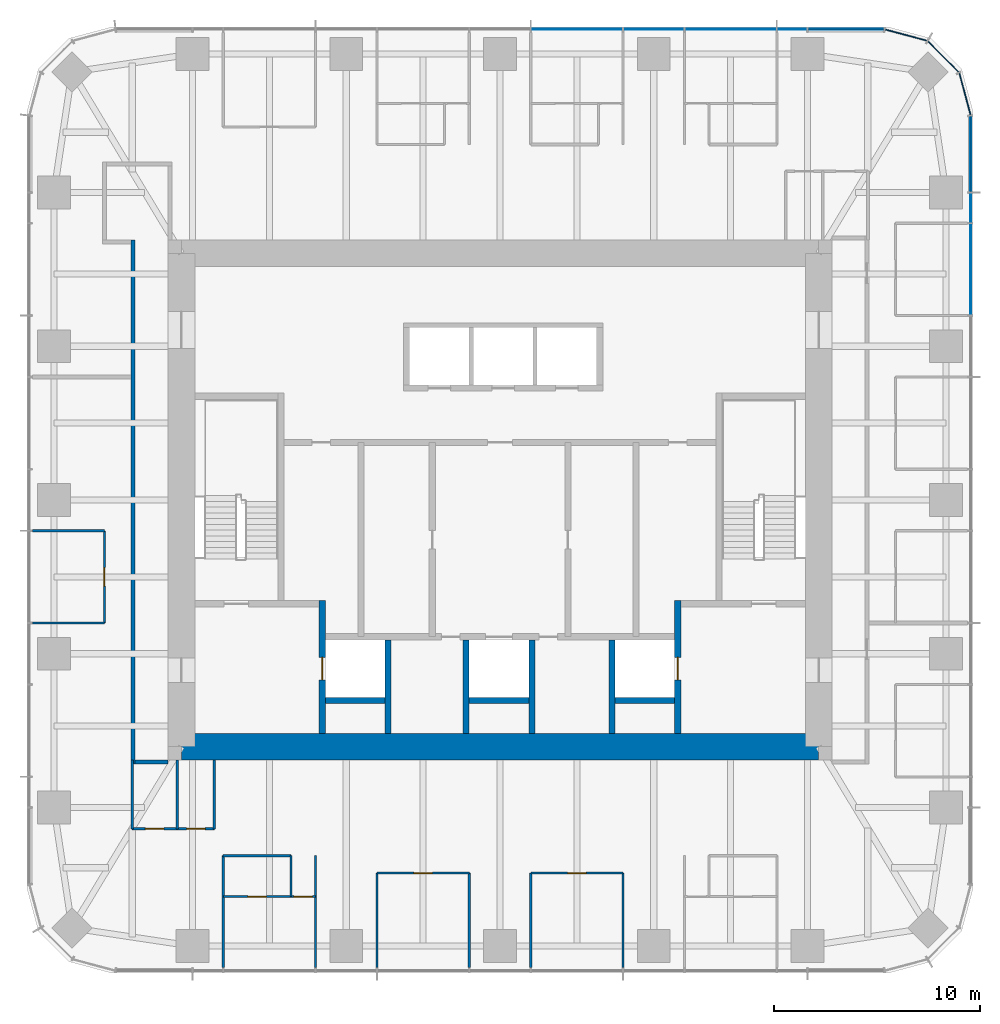
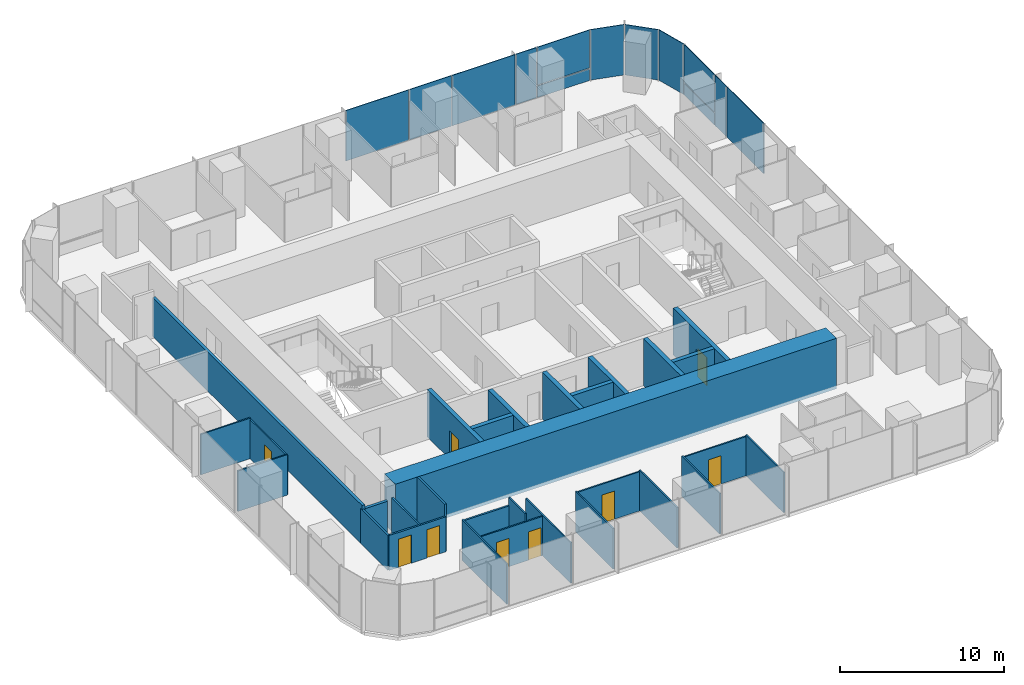
# One storey, part 8 of 12: 30 walls, 13 plates, 9 doors, 9 openings, 3 elements without a shape of their own.
"""IFC4 building model written with IfcOpenShell, lengths in metres."""

from ifc_helpers import new_model, si_unit, direction, frame, frame_2d, origin, origin_2d, place, context, subcontext, project, spatial, rectangle, extrude, material, layer, layer_set, type_object, element, fill, aggregate, save


model = new_model("IFC4")

# Units and contexts
model_context = context("Model", 3, precision=1e-05, world=origin(), true_north=direction((0.0, 1.0)))
body_context = subcontext(model_context, "Body", "Model", "MODEL_VIEW")
ifc_project = project(units=[si_unit("LENGTHUNIT", "METRE"), si_unit("AREAUNIT", "SQUARE_METRE"), si_unit("VOLUMEUNIT", "CUBIC_METRE"), si_unit("PLANEANGLEUNIT", "RADIAN"), si_unit("MASSUNIT", "GRAM", prefix="KILO")], contexts=[model_context])

# Site, building, storey
site_placement = place(None, origin())
site = spatial("IfcSite", under=ifc_project, at=site_placement, CompositionType="ELEMENT")
building_placement = place(site_placement, origin())
building = spatial("IfcBuilding", under=site, at=building_placement, Name="Khuree Lantern Residences", CompositionType="ELEMENT")
storey_placement = place(building_placement, frame((0.0, 0.0, 342.0)))
storey = spatial("IfcBuildingStorey", under=building, at=storey_placement, Name="L86", CompositionType="ELEMENT", Elevation=342.0)

# Curtain wall, plates
ifc_material_1 = material(Name="Bronze anodised aluminium", Category="aluminium")
curtain_wall_type_1 = type_object("IfcCurtainWallType", Name="CW-T2 TOWER CORNER CURTAIN WALL", PredefinedType="USERDEFINED", material=ifc_material_1)
curtain_wall_1_placement = place(storey_placement, origin())
curtain_wall_1 = element("IfcCurtainWall", 1, at=curtain_wall_1_placement, inside=storey, type_object=curtain_wall_type_1, Name="L86 NORTH-EAST CORNER CURTAIN WALL", ObjectType="Faceted corner curtain wall", PredefinedType="USERDEFINED")
ifc_material_2 = material(Name="Bronze tinted triple glazing", Category="glass")
ifc_layer_1 = layer(ifc_material_2, 0.048095703125)
ifc_layer_set_1 = layer_set([ifc_layer_1], Name="FACET PANEL P4")
plate_type_1 = type_object("IfcPlateType", Name="FACET PANEL P4", PredefinedType="CURTAIN_PANEL", material=ifc_layer_set_1)
plate_1_placement = place(storey_placement, frame((22.619140625, 19.748046875, 0.0), z_axis=(0.0, 0.0, 1.0), x_axis=(-0.2588189146, 0.965925861257, 0.0)))
plate_1 = element("IfcPlate", 2, at=plate_1_placement, type_object=plate_type_1, Name="L86 NORTH-EAST CORNER PANEL 15.1", PredefinedType="CURTAIN_PANEL", context=body_context, shape_type="SweptSolid", body=[
    extrude(rectangle(XDim=2.09814453125, YDim=0.048095703125, at=origin_2d()), origin(), (0.0, 0.0, 1.0), 3.75),
])
plate_2_placement = place(storey_placement, frame((21.568603515625, 21.568603515625, 0.0), z_axis=(0.0, 0.0, 1.0), x_axis=(-0.707106781187, 0.707106781187, 0.0)))
plate_2 = element("IfcPlate", 3, at=plate_2_placement, type_object=plate_type_1, Name="L86 NORTH-EAST CORNER PANEL 16.1", PredefinedType="CURTAIN_PANEL", context=body_context, shape_type="SweptSolid", body=[
    extrude(rectangle(XDim=2.093994140625, YDim=0.048095703125, at=origin_2d()), origin(), (0.0, 0.0, 1.0), 3.75),
])
plate_3_placement = place(storey_placement, frame((19.748046875, 22.619140625, 0.0), z_axis=(0.0, 0.0, 1.0), x_axis=(-0.965925861257, 0.2588189146, 0.0)))
plate_3 = element("IfcPlate", 4, at=plate_3_placement, type_object=plate_type_1, Name="L86 NORTH-EAST CORNER PANEL 17.1", PredefinedType="CURTAIN_PANEL", context=body_context, shape_type="SweptSolid", body=[
    extrude(rectangle(XDim=2.09814453125, YDim=0.048095703125, at=origin_2d()), origin(), (0.0, 0.0, 1.0), 3.75),
])
aggregate(curtain_wall_1, [plate_1, plate_2, plate_3])

# Curtain wall, plate
curtain_wall_type_2 = type_object("IfcCurtainWallType", Name="CW-T1 TOWER FACE CURTAIN WALL", PredefinedType="USERDEFINED", material=ifc_material_1)
curtain_wall_2_placement = place(storey_placement, origin())
curtain_wall_2 = element("IfcCurtainWall", 5, at=curtain_wall_2_placement, inside=storey, type_object=curtain_wall_type_2, Name="L86 EAST FACE CURTAIN WALL", ObjectType="Stick-built curtain wall", PredefinedType="USERDEFINED")
ifc_material_3 = material(Name="Bronze tinted triple glazing with a ceramic-fritted spandrel band", Category="glass")
ifc_layer_2 = layer(ifc_material_3, 0.048095703125)
ifc_layer_set_2 = layer_set([ifc_layer_2], Name="FIXED LIGHT PANEL P11")
plate_type_2 = type_object("IfcPlateType", Name="FIXED LIGHT PANEL P11", PredefinedType="CURTAIN_PANEL", material=ifc_layer_set_2)
plate_4_placement = place(storey_placement, frame((22.89990234375, 11.219970703125, 0.0), z_axis=(0.0, 0.0, 1.0), x_axis=(0.0, 1.0, 0.0)))
plate_4 = element("IfcPlate", 6, at=plate_4_placement, type_object=plate_type_2, Name="L86 EAST FACE PANEL 12.1", PredefinedType="CURTAIN_PANEL", context=body_context, shape_type="SweptSolid", body=[
    extrude(rectangle(XDim=4.423095703125, YDim=0.048095703125, at=origin_2d()), origin(), (0.0, 0.0, 1.0), 3.75),
])

# Curtain wall, plates
curtain_wall_3_placement = place(storey_placement, origin())
curtain_wall_3 = element("IfcCurtainWall", 7, at=curtain_wall_3_placement, inside=storey, type_object=curtain_wall_type_2, Name="L86 NORTH FACE CURTAIN WALL", ObjectType="Stick-built curtain wall", PredefinedType="USERDEFINED")
plate_5_placement = place(storey_placement, frame((11.219970703125, 22.89990234375, 0.0), z_axis=(0.0, 0.0, 1.0), x_axis=(-1.0, 0.0, 0.0)))
plate_5 = element("IfcPlate", 8, at=plate_5_placement, type_object=plate_type_2, Name="L86 NORTH FACE PANEL 20.1", PredefinedType="CURTAIN_PANEL", context=body_context, shape_type="SweptSolid", body=[
    extrude(rectangle(XDim=4.423095703125, YDim=0.048095703125, at=origin_2d()), origin(), (0.0, 0.0, 1.0), 3.75),
])
plate_6_placement = place(storey_placement, frame((3.739990234375, 22.89990234375, 0.0), z_axis=(0.0, 0.0, 1.0), x_axis=(-1.0, 0.0, 0.0)))
plate_6 = element("IfcPlate", 9, at=plate_6_placement, type_object=plate_type_2, Name="L86 NORTH FACE PANEL 22.1", PredefinedType="CURTAIN_PANEL", context=body_context, shape_type="SweptSolid", body=[
    extrude(rectangle(XDim=4.423095703125, YDim=0.048095703125, at=origin_2d()), origin(), (0.0, 0.0, 1.0), 3.75),
])
ifc_material_4 = material(Name="Bronze tinted triple glazing, two aluminium-framed sashes in one frame", Category="aluminium")
ifc_layer_3 = layer(ifc_material_4, 0.048095703125)
ifc_layer_set_3 = layer_set([ifc_layer_3], Name="SASH PAIR PANEL P12")
plate_type_3 = type_object("IfcPlateType", Name="SASH PAIR PANEL P12", PredefinedType="CURTAIN_PANEL", material=ifc_layer_set_3)
plate_7_placement = place(storey_placement, frame((7.47998046875, 22.89990234375, 0.0), z_axis=(0.0, 0.0, 1.0), x_axis=(-1.0, 0.0, 0.0)))
plate_7 = element("IfcPlate", 10, at=plate_7_placement, type_object=plate_type_3, Name="L86 NORTH FACE PANEL 21.1", PredefinedType="CURTAIN_PANEL", context=body_context, shape_type="SweptSolid", body=[
    extrude(rectangle(XDim=2.927001953125, YDim=0.048095703125, at=origin_2d()), origin(), (0.0, 0.0, 1.0), 3.75),
])

# Plate
ifc_material_5 = material(Name="Bronze tinted triple glazing, aluminium-framed sash", Category="aluminium")
ifc_layer_4 = layer(ifc_material_5, 0.048095703125)
ifc_layer_set_4 = layer_set([ifc_layer_4], Name="SASH PANEL P3")
plate_type_4 = type_object("IfcPlateType", Name="SASH PANEL P3", PredefinedType="CURTAIN_PANEL", material=ifc_layer_set_4)
plate_8_placement = place(storey_placement, frame((22.89990234375, 14.2119140625, 0.0), z_axis=(0.0, 0.0, 1.0), x_axis=(0.0, 1.0, 0.0)))
plate_8 = element("IfcPlate", 11, at=plate_8_placement, type_object=plate_type_4, Name="L86 EAST FACE PANEL 13.1", PredefinedType="CURTAIN_PANEL", context=body_context, shape_type="SweptSolid", body=[
    extrude(rectangle(XDim=1.430908203125, YDim=0.048095703125, at=origin_2d()), origin(), (0.0, 0.0, 1.0), 3.75),
])

plate_9_placement = place(storey_placement, frame((14.2119140625, 22.89990234375, 0.0), z_axis=(0.0, 0.0, 1.0), x_axis=(-1.0, 0.0, 0.0)))
plate_9 = element("IfcPlate", 12, at=plate_9_placement, type_object=plate_type_4, Name="L86 NORTH FACE PANEL 19.1", PredefinedType="CURTAIN_PANEL", context=body_context, shape_type="SweptSolid", body=[
    extrude(rectangle(XDim=1.430908203125, YDim=0.048095703125, at=origin_2d()), origin(), (0.0, 0.0, 1.0), 3.75),
])

ifc_material_6 = material(Name="Bronze anodised aluminium insulated spandrel", Category="aluminium")
ifc_layer_5 = layer(ifc_material_6, 0.06005859375)
ifc_layer_set_5 = layer_set([ifc_layer_5], Name="SPANDREL PANEL P2")
plate_type_5 = type_object("IfcPlateType", Name="SPANDREL PANEL P2", PredefinedType="CURTAIN_PANEL", material=ifc_layer_set_5)
plate_10_placement = place(storey_placement, frame((22.89990234375, 16.827880859375, 0.0), z_axis=(0.0, 0.0, 1.0), x_axis=(0.0, 1.0, 0.0)))
plate_10 = element("IfcPlate", 13, at=plate_10_placement, type_object=plate_type_5, Name="L86 EAST FACE PANEL 14.1", PredefinedType="CURTAIN_PANEL", context=body_context, shape_type="SweptSolid", body=[
    extrude(rectangle(XDim=3.670654296875, YDim=0.06005859375, at=origin_2d()), origin(), (0.0, 0.0, 1.0), 0.867431640625),
])

plate_11_placement = place(storey_placement, frame((16.827880859375, 22.89990234375, 0.0), z_axis=(0.0, 0.0, 1.0), x_axis=(-1.0, 0.0, 0.0)))
plate_11 = element("IfcPlate", 14, at=plate_11_placement, type_object=plate_type_5, Name="L86 NORTH FACE PANEL 18.1", PredefinedType="CURTAIN_PANEL", context=body_context, shape_type="SweptSolid", body=[
    extrude(rectangle(XDim=3.670654296875, YDim=0.06005859375, at=origin_2d()), origin(), (0.0, 0.0, 1.0), 0.867431640625),
])

ifc_layer_6 = layer(ifc_material_2, 0.048095703125)
ifc_layer_set_6 = layer_set([ifc_layer_6], Name="VISION PANEL P1")
plate_type_6 = type_object("IfcPlateType", Name="VISION PANEL P1", PredefinedType="CURTAIN_PANEL", material=ifc_layer_set_6)
plate_12_placement = place(storey_placement, frame((22.89990234375, 16.828369140625, 0.9326171875), z_axis=(0.0, 0.0, 1.0), x_axis=(0.0, 1.0, 0.0)))
plate_12 = element("IfcPlate", 15, at=plate_12_placement, type_object=plate_type_6, Name="L86 EAST FACE PANEL 14.2", PredefinedType="CURTAIN_PANEL", context=body_context, shape_type="SweptSolid", body=[
    extrude(rectangle(XDim=3.671630859375, YDim=0.048095703125, at=origin_2d()), origin(), (0.0, 0.0, 1.0), 2.8173828125),
])

aggregate(curtain_wall_2, [plate_4, plate_8, plate_10, plate_12])

plate_13_placement = place(storey_placement, frame((16.828369140625, 22.89990234375, 0.9326171875), z_axis=(0.0, 0.0, 1.0), x_axis=(-1.0, 0.0, 0.0)))
plate_13 = element("IfcPlate", 16, at=plate_13_placement, type_object=plate_type_6, Name="L86 NORTH FACE PANEL 18.2", PredefinedType="CURTAIN_PANEL", context=body_context, shape_type="SweptSolid", body=[
    extrude(rectangle(XDim=3.671630859375, YDim=0.048095703125, at=origin_2d()), origin(), (0.0, 0.0, 1.0), 2.8173828125),
])

aggregate(curtain_wall_3, [plate_11, plate_13, plate_9, plate_5, plate_7, plate_6])

# Wall
ifc_material_7 = material(Name="Moisture-resistant gypsum board on steel studs", Category="steel")
ifc_layer_7 = layer(ifc_material_7, 0.125)
ifc_layer_set_7 = layer_set([ifc_layer_7], Name="BATHROOM WALL BTW125")
wall_type_1 = type_object("IfcWallType", Name="BATHROOM WALL BTW125", PredefinedType="PARTITIONING", material=ifc_layer_set_7)
wall_1_placement = place(storey_placement, frame((-13.464111328125, -17.29638671875, 0.0), z_axis=(0.0, 0.0, 1.0), x_axis=(1.0, 0.0, 0.0)))
element("IfcWall", 17, at=wall_1_placement, inside=storey, type_object=wall_type_1, Name="L86 BATHROOM WALL 02", PredefinedType="PARTITIONING", context=body_context, shape_type="SweptSolid", body=[
    extrude(rectangle(XDim=3.2880859375, YDim=0.125, at=frame_2d((1.64404296875, 0.0))), origin(), (0.0, 0.0, 1.0), 2.909912109375),
])

# Wall, openings, doors
wall_2_placement = place(storey_placement, frame((-17.89990234375, -15.996337890625, 0.0), z_axis=(0.0, 0.0, 1.0), x_axis=(1.0, 0.0, 0.0)))
wall_2 = element("IfcWall", 18, at=wall_2_placement, inside=storey, type_object=wall_type_1, Name="L86 BATHROOM WALL 02", PredefinedType="PARTITIONING", context=body_context, shape_type="SweptSolid", body=[
    extrude(rectangle(XDim=4.0, YDim=0.125, at=frame_2d((2.0, 0.0))), origin(), (0.0, 0.0, 1.0), 2.60009765625),
])
opening_1_placement = place(wall_2_placement, frame((0.64990234375, 0.0, 0.0)))
opening_1 = element("IfcOpeningElement", 19, at=opening_1_placement, cuts=wall_2, Name="Opening 86-041", PredefinedType="OPENING", context=body_context, shape_type="SweptSolid", body=[
    extrude(rectangle(XDim=0.89990234375, YDim=2.10009765625, at=frame_2d((0.449951171875, 1.050048828125))), frame((0.0, 0.072509765625, 0.0), z_axis=(0.0, -1.0, 0.0), x_axis=(1.0, 0.0, 0.0)), (0.0, 0.0, 1.0), 0.14501953125),
])
opening_2_placement = place(wall_2_placement, frame((2.64990234375, 0.0, 0.0)))
opening_2 = element("IfcOpeningElement", 20, at=opening_2_placement, cuts=wall_2, Name="Opening 86-042", PredefinedType="OPENING", context=body_context, shape_type="SweptSolid", body=[
    extrude(rectangle(XDim=0.89990234375, YDim=2.10009765625, at=frame_2d((0.449951171875, 1.050048828125))), frame((0.0, 0.072509765625, 0.0), z_axis=(0.0, -1.0, 0.0), x_axis=(1.0, 0.0, 0.0)), (0.0, 0.0, 1.0), 0.14501953125),
])
ifc_material_8 = material(Name="Timber door leaf in hardwood frame", Category="wood")
door_type_1 = type_object("IfcDoorType", Name="BATHROOM DOOR 900X2100", OperationType="SINGLE_SWING_LEFT", PredefinedType="DOOR", material=ifc_material_8)
door_1_placement = place(opening_1_placement, origin())
door_1 = element("IfcDoor", 21, at=door_1_placement, inside=storey, type_object=door_type_1, Name="Bathroom door 86-041", OperationType="SINGLE_SWING_LEFT", OverallHeight=2.10009765625, OverallWidth=0.89990234375, PredefinedType="DOOR", context=body_context, shape_type="SweptSolid", body=[
    extrude(rectangle(XDim=0.89990234375, YDim=2.10009765625, at=frame_2d((0.449951171875, 1.050048828125))), frame((0.0, 0.02490234375, 0.0), z_axis=(0.0, -1.0, 0.0), x_axis=(1.0, 0.0, 0.0)), (0.0, 0.0, 1.0), 0.050048828125),
])
fill(opening_1, door_1)
door_type_2 = type_object("IfcDoorType", Name="DOOR 900X2100", OperationType="SINGLE_SWING_LEFT", PredefinedType="DOOR", material=ifc_material_8)
door_2_placement = place(opening_2_placement, origin())
door_2 = element("IfcDoor", 22, at=door_2_placement, inside=storey, type_object=door_type_2, Name="Store door 86-042", OperationType="SINGLE_SWING_LEFT", OverallHeight=2.10009765625, OverallWidth=0.89990234375, PredefinedType="DOOR", context=body_context, shape_type="SweptSolid", body=[
    extrude(rectangle(XDim=0.89990234375, YDim=2.10009765625, at=frame_2d((0.449951171875, 1.050048828125))), frame((0.0, 0.02490234375, 0.0), z_axis=(0.0, -1.0, 0.0), x_axis=(1.0, 0.0, 0.0)), (0.0, 0.0, 1.0), 0.050048828125),
])
fill(opening_2, door_2)

# Walls
for number, where, z_axis, x_axis, name in (
    (23, (-17.89990234375, -12.64990234375, 0.0), (0.0, 0.0, 1.0), (0.0, -1.0, 0.0), "L86 BATHROOM WALL 02"),
    (24, (-15.699951171875, -12.64990234375, 0.0), (0.0, 0.0, 1.0), (0.0, -1.0, 0.0), "L86 BATHROOM WALL 02"),
):
    element("IfcWall", number, at=place(storey_placement, frame(where, z_axis=z_axis, x_axis=x_axis)), inside=storey, type_object=wall_type_1, Name=name, PredefinedType="PARTITIONING", context=body_context, shape_type="SweptSolid", body=[
        extrude(rectangle(XDim=3.346435546875, YDim=0.125, at=frame_2d((1.67333984375, 0.0))), origin(), (0.0, 0.0, 1.0), 2.60009765625),
    ])
wall_3_placement = place(storey_placement, frame((-13.89990234375, -12.64990234375, 0.0), z_axis=(0.0, 0.0, 1.0), x_axis=(0.0, -1.0, 0.0)))
element("IfcWall", 25, at=wall_3_placement, inside=storey, type_object=wall_type_1, Name="L86 BATHROOM WALL 02", PredefinedType="PARTITIONING", context=body_context, shape_type="SweptSolid", body=[
    extrude(rectangle(XDim=3.346435546875, YDim=0.125, at=frame_2d((1.67333984375, 0.0))), origin(), (0.0, 0.0, 1.0), 3.5),
])

# Wall, opening, door
ifc_material_9 = material(Name="Dense concrete blockwork", Category="masonry")
ifc_layer_8 = layer(ifc_material_9, 0.300048828125)
ifc_layer_set_8 = layer_set([ifc_layer_8], Name="CORE PARTITION WALL CPW300 EI 120")
wall_type_2 = type_object("IfcWallType", Name="CORE PARTITION WALL CPW300 EI 120", PredefinedType="PARTITIONING", material=ifc_layer_set_8)
wall_4_placement = place(storey_placement, frame((-8.64990234375, -11.35009765625, 0.0), z_axis=(0.0, 0.0, 1.0), x_axis=(0.0, 1.0, 0.0)))
wall_4 = element("IfcWall", 26, at=wall_4_placement, inside=storey, type_object=wall_type_2, Name="L86 CORE WALL FL1W", PredefinedType="PARTITIONING", context=body_context, shape_type="SweptSolid", body=[
    extrude(rectangle(XDim=6.4501953125, YDim=0.300048828125, at=frame_2d((3.22509765625, 0.0))), origin(), (0.0, 0.0, 1.0), 3.5),
])
opening_3_placement = place(wall_4_placement, frame((2.60009765625, 0.0, 0.0)))
opening_3 = element("IfcOpeningElement", 27, at=opening_3_placement, cuts=wall_4, Name="Opening 86-007", PredefinedType="OPENING", context=body_context, shape_type="SweptSolid", body=[
    extrude(rectangle(XDim=1.10009765625, YDim=2.10009765625, at=frame_2d((0.550048828125, 1.050048828125))), frame((0.0, 0.16015625, 0.0), z_axis=(0.0, -1.0, 0.0), x_axis=(1.0, 0.0, 0.0)), (0.0, 0.0, 1.0), 0.320068359375),
])
ifc_material_10 = material(Name="Stainless steel lift landing door", Category="steel")
door_type_3 = type_object("IfcDoorType", Name="LIFT LANDING DOOR 1100X2100 E 120", OperationType="DOUBLE_DOOR_SLIDING", PredefinedType="DOOR", material=ifc_material_10)
door_3_placement = place(opening_3_placement, origin())
door_3 = element("IfcDoor", 28, at=door_3_placement, inside=storey, type_object=door_type_3, Name="Landing door FL1 86-007", OperationType="DOUBLE_DOOR_SLIDING", OverallHeight=2.10009765625, OverallWidth=1.10009765625, PredefinedType="DOOR", context=body_context, shape_type="SweptSolid", body=[
    extrude(rectangle(XDim=1.10009765625, YDim=2.10009765625, at=frame_2d((0.550048828125, 1.050048828125))), frame((0.0, 0.02490234375, 0.0), z_axis=(0.0, -1.0, 0.0), x_axis=(1.0, 0.0, 0.0)), (0.0, 0.0, 1.0), 0.050048828125),
])
fill(opening_3, door_3)

wall_5_placement = place(storey_placement, frame((8.64990234375, -11.35009765625, 0.0), z_axis=(0.0, 0.0, 1.0), x_axis=(0.0, 1.0, 0.0)))
wall_5 = element("IfcWall", 29, at=wall_5_placement, inside=storey, type_object=wall_type_2, Name="L86 CORE WALL FL2E", PredefinedType="PARTITIONING", context=body_context, shape_type="SweptSolid", body=[
    extrude(rectangle(XDim=6.4501953125, YDim=0.300048828125, at=frame_2d((3.22509765625, 0.0))), origin(), (0.0, 0.0, 1.0), 3.5),
])
opening_4_placement = place(wall_5_placement, frame((2.60009765625, 0.0, 0.0)))
opening_4 = element("IfcOpeningElement", 30, at=opening_4_placement, cuts=wall_5, Name="Opening 86-008", PredefinedType="OPENING", context=body_context, shape_type="SweptSolid", body=[
    extrude(rectangle(XDim=1.10009765625, YDim=2.10009765625, at=frame_2d((0.550048828125, 1.050048828125))), frame((0.0, 0.16015625, 0.0), z_axis=(0.0, -1.0, 0.0), x_axis=(1.0, 0.0, 0.0)), (0.0, 0.0, 1.0), 0.320068359375),
])
door_4_placement = place(opening_4_placement, origin())
door_4 = element("IfcDoor", 31, at=door_4_placement, inside=storey, type_object=door_type_3, Name="Landing door FL2 86-008", OperationType="DOUBLE_DOOR_SLIDING", OverallHeight=2.10009765625, OverallWidth=1.10009765625, PredefinedType="DOOR", context=body_context, shape_type="SweptSolid", body=[
    extrude(rectangle(XDim=1.10009765625, YDim=2.10009765625, at=frame_2d((0.550048828125, 1.050048828125))), frame((0.0, 0.02490234375, 0.0), z_axis=(0.0, -1.0, 0.0), x_axis=(1.0, 0.0, 0.0)), (0.0, 0.0, 1.0), 0.050048828125),
])
fill(opening_4, door_4)

# Walls
for number, where, z_axis, x_axis, name in (
    (32, (-5.449951171875, -11.35009765625, 0.0), (0.0, 0.0, 1.0), (0.0, 1.0, 0.0), "L86 CORE WALL FL1E"),
    (33, (-1.64990234375, -11.35009765625, 0.0), (0.0, 0.0, 1.0), (0.0, 1.0, 0.0), "L86 CORE WALL SL1W"),
    (34, (1.550048828125, -11.35009765625, 0.0), (0.0, 0.0, 1.0), (0.0, 1.0, 0.0), "L86 CORE WALL SL1E"),
    (35, (5.449951171875, -11.35009765625, 0.0), (0.0, 0.0, 1.0), (0.0, 1.0, 0.0), "L86 CORE WALL FL2W"),
):
    element("IfcWall", number, at=place(storey_placement, frame(where, z_axis=z_axis, x_axis=x_axis)), inside=storey, type_object=wall_type_2, Name=name, PredefinedType="PARTITIONING", context=body_context, shape_type="SweptSolid", body=[
        extrude(rectangle(XDim=4.550048828125, YDim=0.300048828125, at=frame_2d((2.27490234375, 0.0))), origin(), (0.0, 0.0, 1.0), 3.5),
    ])
for number, where, z_axis, x_axis, name in (
    (36, (-8.5, -9.75, 0.0), (0.0, 0.0, 1.0), (1.0, 0.0, 0.0), "L86 CORE WALL FL1S"),
    (37, (-1.5, -9.75, 0.0), (0.0, 0.0, 1.0), (1.0, 0.0, 0.0), "L86 CORE WALL SL1S"),
    (38, (5.60009765625, -9.75, 0.0), (0.0, 0.0, 1.0), (1.0, 0.0, 0.0), "L86 CORE WALL FL2S"),
):
    element("IfcWall", number, at=place(storey_placement, frame(where, z_axis=z_axis, x_axis=x_axis)), inside=storey, type_object=wall_type_2, Name=name, PredefinedType="PARTITIONING", context=body_context, shape_type="SweptSolid", body=[
        extrude(rectangle(XDim=2.89990234375, YDim=0.300048828125, at=frame_2d((1.449951171875, 0.0))), origin(), (0.0, 0.0, 1.0), 3.5),
    ])
ifc_material_11 = material(Name="Gypsum board on steel studs", Category="steel")
ifc_layer_9 = layer(ifc_material_11, 0.199951171875)
ifc_layer_set_9 = layer_set([ifc_layer_9], Name="CORRIDOR WALL CRW200 EI 60")
wall_type_3 = type_object("IfcWallType", Name="CORRIDOR WALL CRW200 EI 60", PredefinedType="PARTITIONING", material=ifc_layer_set_9)
wall_6_placement = place(storey_placement, frame((-16.14990234375, -12.75, 0.0), z_axis=(0.0, 0.0, 1.0), x_axis=(-1.0, 0.0, 0.0)))
element("IfcWall", 39, at=wall_6_placement, inside=storey, type_object=wall_type_3, Name="L86 WEST CORRIDOR SOUTH END WALL", PredefinedType="PARTITIONING", context=body_context, shape_type="SweptSolid", body=[
    extrude(rectangle(XDim=1.60009765625, YDim=0.199951171875, at=frame_2d((0.800048828125, 0.0))), origin(), (0.0, 0.0, 1.0), 2.60009765625),
])
wall_7_placement = place(storey_placement, frame((-17.85009765625, 12.64990234375, 0.0), z_axis=(0.0, 0.0, 1.0), x_axis=(0.0, -1.0, 0.0)))
element("IfcWall", 40, at=wall_7_placement, inside=storey, type_object=wall_type_3, Name="L86 CORRIDOR WALL WEST 1", PredefinedType="PARTITIONING", context=body_context, shape_type="SweptSolid", body=[
    extrude(rectangle(XDim=25.5, YDim=0.199951171875, at=frame_2d((12.75, 0.0))), origin(), (0.0, 0.0, 1.0), 2.89990234375),
])
ifc_material_12 = material(Name="Concrete C50/60", Category="concrete")
ifc_layer_10 = layer(ifc_material_12, 1.300048828125)
ifc_layer_set_10 = layer_set([ifc_layer_10], Name="CW1300-C50 CORE WALL C50 1300")
wall_type_4 = type_object("IfcWallType", Name="CW1300-C50 CORE WALL C50 1300", PredefinedType="SHEAR", material=ifc_layer_set_10)
wall_8_placement = place(storey_placement, frame((-15.5, -12.0, -0.25), z_axis=(0.0, 0.0, 1.0), x_axis=(1.0, 0.0, 0.0)))
element("IfcWall", 41, at=wall_8_placement, inside=storey, type_object=wall_type_4, Name="Core wall S", PredefinedType="SHEAR", context=body_context, shape_type="SweptSolid", body=[
    extrude(rectangle(XDim=31.0, YDim=1.300048828125, at=frame_2d((15.5, 0.0))), origin(), (0.0, 0.0, 1.0), 3.75),
])
ifc_layer_11 = layer(ifc_material_11, 0.10009765625)
ifc_layer_set_11 = layer_set([ifc_layer_11], Name="PARTITION PT100")
wall_type_5 = type_object("IfcWallType", Name="PARTITION PT100", PredefinedType="PARTITIONING", material=ifc_layer_set_11)
for number, where, z_axis, x_axis, name in (
    (42, (-19.25, -1.49609375, 0.0), (0.0, 0.0, 1.0), (-1.0, 0.0, 0.0), "L86 PARTITION 02"),
    (43, (-19.25, -5.98388671875, 0.0), (0.0, 0.0, 1.0), (-1.0, 0.0, 0.0), "L86 PARTITION 02"),
):
    element("IfcWall", number, at=place(storey_placement, frame(where, z_axis=z_axis, x_axis=x_axis)), inside=storey, type_object=wall_type_5, Name=name, PredefinedType="PARTITIONING", context=body_context, shape_type="SweptSolid", body=[
        extrude(rectangle(XDim=3.5, YDim=0.10009765625, at=frame_2d((1.75, 0.0))), origin(), (0.0, 0.0, 1.0), 3.010009765625),
    ])
for number, where, z_axis, x_axis, name in (
    (44, (-13.464111328125, -17.29638671875, 0.0), (0.0, 0.0, 1.0), (0.0, -1.0, 0.0), "L86 PARTITION 02"),
    (45, (-8.97607421875, -17.29638671875, 0.0), (0.0, 0.0, 1.0), (0.0, -1.0, 0.0), "L86 PARTITION 02"),
):
    element("IfcWall", number, at=place(storey_placement, frame(where, z_axis=z_axis, x_axis=x_axis)), inside=storey, type_object=wall_type_5, Name=name, PredefinedType="PARTITIONING", context=body_context, shape_type="SweptSolid", body=[
        extrude(rectangle(XDim=5.45361328125, YDim=0.10009765625, at=frame_2d((2.726806640625, 0.0))), origin(), (0.0, 0.0, 1.0), 3.010009765625),
    ])
for number, where, z_axis, x_axis, name in (
    (46, (-5.98388671875, -18.14990234375, 0.0), (0.0, 0.0, 1.0), (0.0, -1.0, 0.0), "L86 PARTITION 02"),
    (47, (-1.49609375, -18.14990234375, 0.0), (0.0, 0.0, 1.0), (0.0, -1.0, 0.0), "L86 PARTITION 02"),
    (48, (1.49609375, -18.14990234375, 0.0), (0.0, 0.0, 1.0), (0.0, -1.0, 0.0), "L86 PARTITION 02"),
    (49, (5.98388671875, -18.14990234375, 0.0), (0.0, 0.0, 1.0), (0.0, -1.0, 0.0), "L86 PARTITION 02"),
):
    element("IfcWall", number, at=place(storey_placement, frame(where, z_axis=z_axis, x_axis=x_axis)), inside=storey, type_object=wall_type_5, Name=name, PredefinedType="PARTITIONING", context=body_context, shape_type="SweptSolid", body=[
        extrude(rectangle(XDim=4.60009765625, YDim=0.10009765625, at=frame_2d((2.300048828125, 0.0))), origin(), (0.0, 0.0, 1.0), 3.010009765625),
    ])

# Wall, opening, door
wall_9_placement = place(storey_placement, frame((-19.25, -1.49609375, 0.0), z_axis=(0.0, 0.0, 1.0), x_axis=(0.0, -1.0, 0.0)))
wall_9 = element("IfcWall", 50, at=wall_9_placement, inside=storey, type_object=wall_type_5, Name="L86 PARTITION 02", PredefinedType="PARTITIONING", context=body_context, shape_type="SweptSolid", body=[
    extrude(rectangle(XDim=4.48779296875, YDim=0.10009765625, at=frame_2d((2.243896484375, 0.0))), origin(), (0.0, 0.0, 1.0), 2.909912109375),
])
opening_5_placement = place(wall_9_placement, frame((1.7939453125, 0.0, 0.0)))
opening_5 = element("IfcOpeningElement", 51, at=opening_5_placement, cuts=wall_9, Name="Opening 86-033", PredefinedType="OPENING", context=body_context, shape_type="SweptSolid", body=[
    extrude(rectangle(XDim=0.89990234375, YDim=2.10009765625, at=frame_2d((0.449951171875, 1.050048828125))), frame((0.0, 0.06005859375, 0.0), z_axis=(0.0, -1.0, 0.0), x_axis=(1.0, 0.0, 0.0)), (0.0, 0.0, 1.0), 0.1201171875),
])
door_type_4 = type_object("IfcDoorType", Name="BEDROOM DOOR 900X2100", OperationType="SINGLE_SWING_LEFT", PredefinedType="DOOR", material=ifc_material_8)
door_5_placement = place(opening_5_placement, origin())
door_5 = element("IfcDoor", 52, at=door_5_placement, inside=storey, type_object=door_type_4, Name="Bedroom door 86-033", OperationType="SINGLE_SWING_LEFT", OverallHeight=2.10009765625, OverallWidth=0.89990234375, PredefinedType="DOOR", context=body_context, shape_type="SweptSolid", body=[
    extrude(rectangle(XDim=0.89990234375, YDim=2.10009765625, at=frame_2d((0.449951171875, 1.050048828125))), frame((0.0, 0.02490234375, 0.0), z_axis=(0.0, -1.0, 0.0), x_axis=(1.0, 0.0, 0.0)), (0.0, 0.0, 1.0), 0.050048828125),
])
fill(opening_5, door_5)

# Wall, openings, doors
wall_10_placement = place(storey_placement, frame((-13.464111328125, -19.29638671875, 0.0), z_axis=(0.0, 0.0, 1.0), x_axis=(1.0, 0.0, 0.0)))
wall_10 = element("IfcWall", 53, at=wall_10_placement, inside=storey, type_object=wall_type_5, Name="L86 PARTITION 02", PredefinedType="PARTITIONING", context=body_context, shape_type="SweptSolid", body=[
    extrude(rectangle(XDim=4.488037109375, YDim=0.10009765625, at=frame_2d((2.244140625, 0.0))), origin(), (0.0, 0.0, 1.0), 2.909912109375),
])
opening_6_placement = place(wall_10_placement, frame((3.43798828125, 0.0, 0.0)))
opening_6 = element("IfcOpeningElement", 54, at=opening_6_placement, cuts=wall_10, Name="Opening 86-034", PredefinedType="OPENING", context=body_context, shape_type="SweptSolid", body=[
    extrude(rectangle(XDim=0.89990234375, YDim=2.10009765625, at=frame_2d((0.449951171875, 1.050048828125))), frame((0.0, 0.06005859375, 0.0), z_axis=(0.0, -1.0, 0.0), x_axis=(1.0, 0.0, 0.0)), (0.0, 0.0, 1.0), 0.1201171875),
])
opening_7_placement = place(wall_10_placement, frame((1.194091796875, 0.0, 0.0)))
opening_7 = element("IfcOpeningElement", 55, at=opening_7_placement, cuts=wall_10, Name="Opening 86-035", PredefinedType="OPENING", context=body_context, shape_type="SweptSolid", body=[
    extrude(rectangle(XDim=0.89990234375, YDim=2.10009765625, at=frame_2d((0.449951171875, 1.050048828125))), frame((0.0, 0.06005859375, 0.0), z_axis=(0.0, -1.0, 0.0), x_axis=(1.0, 0.0, 0.0)), (0.0, 0.0, 1.0), 0.1201171875),
])
door_6_placement = place(opening_7_placement, origin())
door_6 = element("IfcDoor", 56, at=door_6_placement, inside=storey, type_object=door_type_1, Name="Bathroom door 86-035", OperationType="SINGLE_SWING_LEFT", OverallHeight=2.10009765625, OverallWidth=0.89990234375, PredefinedType="DOOR", context=body_context, shape_type="SweptSolid", body=[
    extrude(rectangle(XDim=0.89990234375, YDim=2.10009765625, at=frame_2d((0.449951171875, 1.050048828125))), frame((0.0, 0.02490234375, 0.0), z_axis=(0.0, -1.0, 0.0), x_axis=(1.0, 0.0, 0.0)), (0.0, 0.0, 1.0), 0.050048828125),
])
fill(opening_7, door_6)
door_7_placement = place(opening_6_placement, origin())
door_7 = element("IfcDoor", 57, at=door_7_placement, inside=storey, type_object=door_type_4, Name="Bedroom door 86-034", OperationType="SINGLE_SWING_LEFT", OverallHeight=2.10009765625, OverallWidth=0.89990234375, PredefinedType="DOOR", context=body_context, shape_type="SweptSolid", body=[
    extrude(rectangle(XDim=0.89990234375, YDim=2.10009765625, at=frame_2d((0.449951171875, 1.050048828125))), frame((0.0, 0.02490234375, 0.0), z_axis=(0.0, -1.0, 0.0), x_axis=(1.0, 0.0, 0.0)), (0.0, 0.0, 1.0), 0.050048828125),
])
fill(opening_6, door_7)

# Wall
wall_11_placement = place(storey_placement, frame((-10.176025390625, -17.29638671875, 0.0), z_axis=(0.0, 0.0, 1.0), x_axis=(0.0, -1.0, 0.0)))
element("IfcWall", 58, at=wall_11_placement, inside=storey, type_object=wall_type_5, Name="L86 PARTITION 02", PredefinedType="PARTITIONING", context=body_context, shape_type="SweptSolid", body=[
    extrude(rectangle(XDim=2.0, YDim=0.10009765625, at=frame_2d((1.0, 0.0))), origin(), (0.0, 0.0, 1.0), 3.5),
])

# Wall, opening, door
wall_12_placement = place(storey_placement, frame((-5.98388671875, -18.14990234375, 0.0), z_axis=(0.0, 0.0, 1.0), x_axis=(1.0, 0.0, 0.0)))
wall_12 = element("IfcWall", 59, at=wall_12_placement, inside=storey, type_object=wall_type_5, Name="L86 PARTITION 02", PredefinedType="PARTITIONING", context=body_context, shape_type="SweptSolid", body=[
    extrude(rectangle(XDim=4.48779296875, YDim=0.10009765625, at=frame_2d((2.243896484375, 0.0))), origin(), (0.0, 0.0, 1.0), 2.909912109375),
])
opening_8_placement = place(wall_12_placement, frame((1.7939453125, 0.0, 0.0)))
opening_8 = element("IfcOpeningElement", 60, at=opening_8_placement, cuts=wall_12, Name="Opening 86-036", PredefinedType="OPENING", context=body_context, shape_type="SweptSolid", body=[
    extrude(rectangle(XDim=0.89990234375, YDim=2.10009765625, at=frame_2d((0.449951171875, 1.050048828125))), frame((0.0, 0.06005859375, 0.0), z_axis=(0.0, -1.0, 0.0), x_axis=(1.0, 0.0, 0.0)), (0.0, 0.0, 1.0), 0.1201171875),
])
door_8_placement = place(opening_8_placement, origin())
door_8 = element("IfcDoor", 61, at=door_8_placement, inside=storey, type_object=door_type_4, Name="Bedroom door 86-036", OperationType="SINGLE_SWING_LEFT", OverallHeight=2.10009765625, OverallWidth=0.89990234375, PredefinedType="DOOR", context=body_context, shape_type="SweptSolid", body=[
    extrude(rectangle(XDim=0.89990234375, YDim=2.10009765625, at=frame_2d((0.449951171875, 1.050048828125))), frame((0.0, 0.02490234375, 0.0), z_axis=(0.0, -1.0, 0.0), x_axis=(1.0, 0.0, 0.0)), (0.0, 0.0, 1.0), 0.050048828125),
])
fill(opening_8, door_8)

wall_13_placement = place(storey_placement, frame((1.49609375, -18.14990234375, 0.0), z_axis=(0.0, 0.0, 1.0), x_axis=(1.0, 0.0, 0.0)))
wall_13 = element("IfcWall", 62, at=wall_13_placement, inside=storey, type_object=wall_type_5, Name="L86 PARTITION 02", PredefinedType="PARTITIONING", context=body_context, shape_type="SweptSolid", body=[
    extrude(rectangle(XDim=4.48779296875, YDim=0.10009765625, at=frame_2d((2.243896484375, 0.0))), origin(), (0.0, 0.0, 1.0), 2.909912109375),
])
opening_9_placement = place(wall_13_placement, frame((1.7939453125, 0.0, 0.0)))
opening_9 = element("IfcOpeningElement", 63, at=opening_9_placement, cuts=wall_13, Name="Opening 86-037", PredefinedType="OPENING", context=body_context, shape_type="SweptSolid", body=[
    extrude(rectangle(XDim=0.89990234375, YDim=2.10009765625, at=frame_2d((0.449951171875, 1.050048828125))), frame((0.0, 0.06005859375, 0.0), z_axis=(0.0, -1.0, 0.0), x_axis=(1.0, 0.0, 0.0)), (0.0, 0.0, 1.0), 0.1201171875),
])
door_9_placement = place(opening_9_placement, origin())
door_9 = element("IfcDoor", 64, at=door_9_placement, inside=storey, type_object=door_type_4, Name="Bedroom door 86-037", OperationType="SINGLE_SWING_LEFT", OverallHeight=2.10009765625, OverallWidth=0.89990234375, PredefinedType="DOOR", context=body_context, shape_type="SweptSolid", body=[
    extrude(rectangle(XDim=0.89990234375, YDim=2.10009765625, at=frame_2d((0.449951171875, 1.050048828125))), frame((0.0, 0.02490234375, 0.0), z_axis=(0.0, -1.0, 0.0), x_axis=(1.0, 0.0, 0.0)), (0.0, 0.0, 1.0), 0.050048828125),
])
fill(opening_9, door_9)

save(model, "model.ifc")
